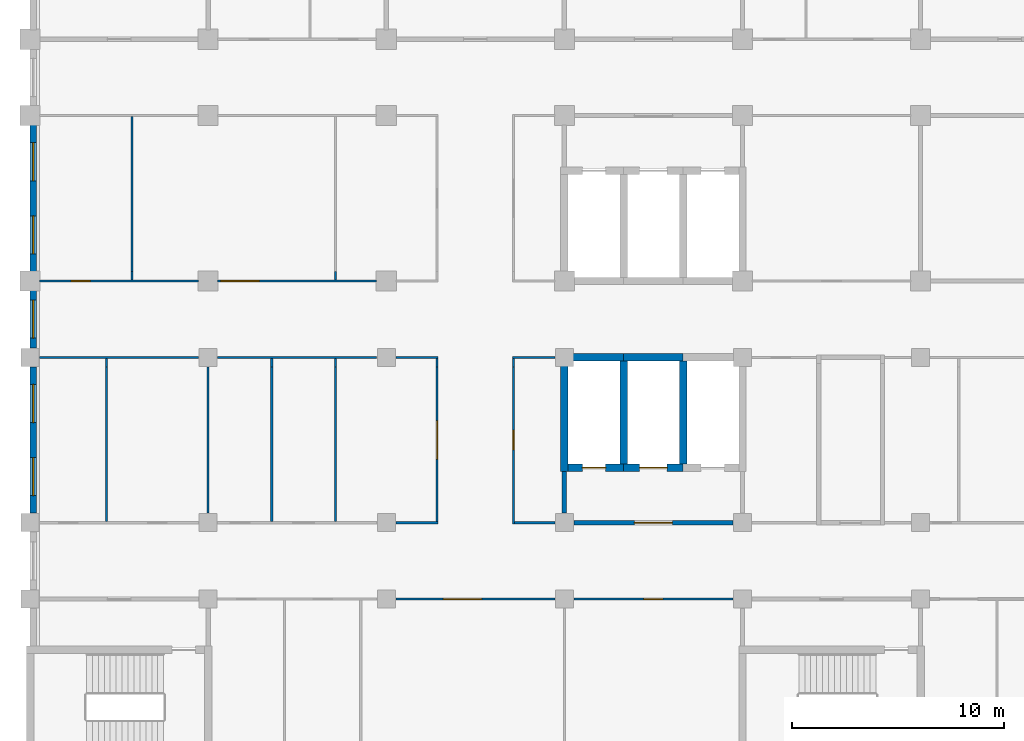
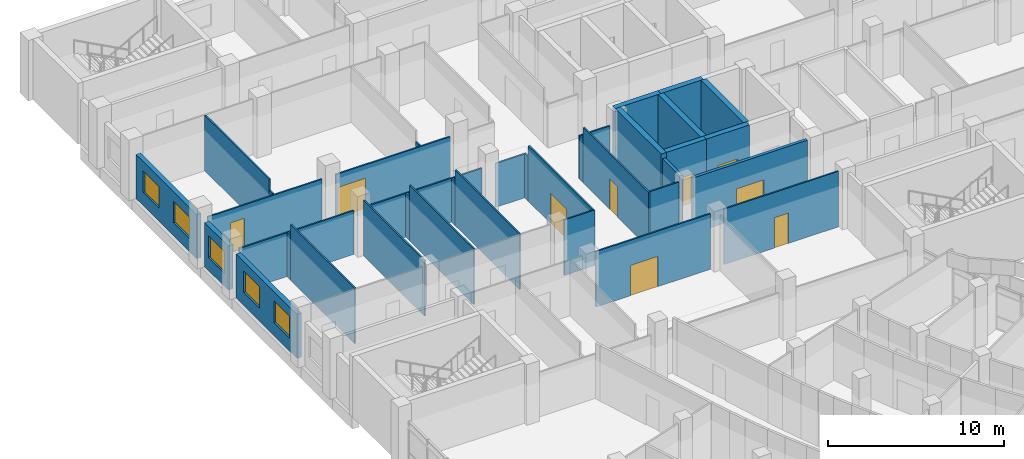
# One storey, part 57 of 109: 36 walls, 9 doors, 5 windows, 14 openings.
"""IFC4 building model written with IfcOpenShell, lengths in metres."""

import ifcopenshell
import ifcopenshell.guid

model = None  # the IFC model being written
_history = None  # IfcOwnerHistory: only IFC2X3 demands one
_inside = {}  # id of a spatial element -> (the spatial element, [elements in it])
_under = {}  # id of a project, library or spatial element -> (it, [spatial elements below it])
_declared = {}  # id of a project -> (the project, [libraries it declares])
_typed = {}  # id of a type object -> (the type object, [elements of that type])
_made_of = {}  # id of a material, layer set ... -> (it, [elements and type objects made of it])


def new_model(schema):
    """Start an empty IFC model of exactly this schema.

    Asked for "IFC4X3", IfcOpenShell would pick the latest addendum, in which some entities
    have other attributes; the version numbers below select the first issue.
    IFC2X3 requires an IfcOwnerHistory on every rooted entity: one is made here for all.
    """
    global model, _history
    if schema == "IFC4X3":
        model = ifcopenshell.file(schema_version=(4, 3, 0, 0))
    else:
        model = ifcopenshell.file(schema=schema)
    _inside.clear()
    _under.clear()
    _declared.clear()
    _typed.clear()
    _made_of.clear()
    _history = None
    if model.schema == "IFC2X3":
        org = make("IfcOrganization", Name="unknown")
        user = make(
            "IfcPersonAndOrganization",
            ThePerson=make("IfcPerson", FamilyName="unknown"),
            TheOrganization=org,
        )
        app = make(
            "IfcApplication",
            ApplicationDeveloper=org,
            Version="unknown",
            ApplicationFullName="unknown",
            ApplicationIdentifier="unknown",
        )
        _history = make(
            "IfcOwnerHistory",
            OwningUser=user,
            OwningApplication=app,
            ChangeAction="ADDED",
            CreationDate=0,
        )
    return model


def make(cls, **values):
    """One entity of the class cls with the attributes given. An attribute that is None is left unset."""
    return model.create_entity(
        cls, **{name: value for name, value in values.items() if value is not None}
    )


def rooted(cls, **values):
    """An entity with a GlobalId (a new one), such as an element, a storey or a relation."""
    return make(cls, GlobalId=ifcopenshell.guid.new(), OwnerHistory=_history, **values)


def si_unit(unit_type, name, prefix=None):
    """IfcSIUnit, for example si_unit("LENGTHUNIT", "METRE", prefix="MILLI")."""
    return make("IfcSIUnit", UnitType=unit_type, Prefix=prefix, Name=name)


def assignment(units):
    """IfcUnitAssignment: the units of a project."""
    return None if units is None else make("IfcUnitAssignment", Units=units)


def point(xyz):
    """IfcCartesianPoint."""
    return None if xyz is None else make("IfcCartesianPoint", Coordinates=xyz)


def direction(xyz):
    """IfcDirection."""
    return None if xyz is None else make("IfcDirection", DirectionRatios=xyz)


def frame(location, z_axis=None, x_axis=None):
    """IfcAxis2Placement3D, a coordinate frame: its origin and axes. An axis left out is left unset."""
    return make(
        "IfcAxis2Placement3D",
        Location=point(location),
        Axis=direction(z_axis),
        RefDirection=direction(x_axis),
    )


def frame_2d(location, x_axis=None):
    """IfcAxis2Placement2D, a coordinate frame in the plane: its origin and x axis."""
    return make(
        "IfcAxis2Placement2D", Location=point(location), RefDirection=direction(x_axis)
    )


def origin():
    """The frame at (0, 0, 0) with its axes left unset."""
    return frame((0.0, 0.0, 0.0))


def place(relative_to, where):
    """IfcLocalPlacement: puts the frame where relative to a parent placement (None: the world)."""
    return make(
        "IfcLocalPlacement", PlacementRelTo=relative_to, RelativePlacement=where
    )


def context(
    kind, dimensions, precision=None, world=None, true_north=None, identifier=None
):
    """IfcGeometricRepresentationContext, for example the 3D "Model" context."""
    return make(
        "IfcGeometricRepresentationContext",
        ContextIdentifier=identifier,
        ContextType=kind,
        CoordinateSpaceDimension=dimensions,
        Precision=precision,
        WorldCoordinateSystem=world,
        TrueNorth=true_north,
    )


def subcontext(parent, identifier, kind, view, scale=None):
    """IfcGeometricRepresentationSubContext, for example "Body" below "Model"."""
    return make(
        "IfcGeometricRepresentationSubContext",
        ContextIdentifier=identifier,
        ContextType=kind,
        ParentContext=parent,
        TargetScale=scale,
        TargetView=view,
    )


def project(units=None, contexts=None):
    """IfcProject with its units and contexts."""
    return rooted(
        "IfcProject",
        Name="project",
        RepresentationContexts=contexts,
        UnitsInContext=assignment(units),
    )


def spatial(cls, under=None, at=None, **own):
    """A site, building, storey or space (cls), placed at a placement, below another one or the project."""
    s = rooted(cls, ObjectPlacement=at, **own)
    if under is not None:
        _under.setdefault(under.id(), (under, []))[1].append(s)
    return s


def profile(cls, at=None, kind="AREA", **sizes):
    """A parametric profile (cls). Its sizes go by their IFC names, for example OverallWidth=200.0."""
    return make(cls, ProfileType=kind, Position=at, **sizes)


def rectangle(**sizes):
    """IfcRectangleProfileDef."""
    return profile("IfcRectangleProfileDef", **sizes)


def extrude(swept, where, along, depth):
    """IfcExtrudedAreaSolid: the profile swept, set in the frame where, extruded along a direction by depth."""
    return make(
        "IfcExtrudedAreaSolid",
        SweptArea=swept,
        Position=where,
        ExtrudedDirection=direction(along),
        Depth=depth,
    )


def shape(context_of_items, identifier, shape_type, items):
    """IfcShapeRepresentation: the items that make up one representation, for example the "Body"."""
    return make(
        "IfcShapeRepresentation",
        ContextOfItems=context_of_items,
        RepresentationIdentifier=identifier,
        RepresentationType=shape_type,
        Items=items,
    )


def material(Name=None, Category=None):
    """IfcMaterial."""
    return make("IfcMaterial", Name=Name, Category=Category)


def layer(
    of_material, thickness, ventilated=None, Name=None, Category=None, Priority=None
):
    """IfcMaterialLayer: one layer of a wall or slab, of a material (None: an air gap)."""
    return make(
        "IfcMaterialLayer",
        Material=of_material,
        LayerThickness=thickness,
        IsVentilated=ventilated,
        Name=Name,
        Category=Category,
        Priority=Priority,
    )


def layer_set(layers, Name=None):
    """IfcMaterialLayerSet."""
    return make("IfcMaterialLayerSet", MaterialLayers=layers, LayerSetName=Name)


def made_of(thing, what):
    """Note that an element or type object is made of a material, layer set ...; save() writes the relation."""
    if what is not None:
        _made_of.setdefault(what.id(), (what, []))[1].append(thing)
    return thing


def type_object(cls, material=None, **own):
    """A type object (cls), such as IfcWallType, which elements share."""
    return made_of(rooted(cls, **own), material)


def element(
    cls,
    number,
    at=None,
    inside=None,
    cuts=None,
    type_object=None,
    material=None,
    context=None,
    identifier="Body",
    shape_type=None,
    held_by="IfcProductDefinitionShape",
    body=None,
    shapes=None,
    **own,
):
    """One element of the class cls, such as IfcWall. Its Tag is "e" and its number.

    at: its placement. inside: the storey or other place that contains it. cuts: it is an
    opening in that element (IfcRelVoidsElement). A single representation is given by context,
    identifier, shape_type and body (its items); several are given by shapes. held_by: the class
    of the entity that holds the representations. save() writes the other relations.
    """
    e = rooted(cls, Tag="e%d" % number, ObjectPlacement=at, **own)
    if body is not None:
        shapes = [shape(context, identifier, shape_type, body)]
    if shapes is not None:
        e.Representation = make(held_by, Representations=shapes)
    if inside is not None:
        _inside.setdefault(inside.id(), (inside, []))[1].append(e)
    if cuts is not None:
        rooted(
            "IfcRelVoidsElement", RelatingBuildingElement=cuts, RelatedOpeningElement=e
        )
    if type_object is not None:
        _typed.setdefault(type_object.id(), (type_object, []))[1].append(e)
    return made_of(e, material)


def fill(opening, filler):
    """IfcRelFillsElement: the door or window that sits in an opening."""
    return rooted(
        "IfcRelFillsElement",
        RelatingOpeningElement=opening,
        RelatedBuildingElement=filler,
    )


def aggregate(whole, parts):
    """IfcRelAggregates: a whole, such as a stair, and the parts it consists of."""
    return rooted("IfcRelAggregates", RelatingObject=whole, RelatedObjects=parts)


def save(model, path):
    """Write the relations noted so far, then the file.

    IfcRelAggregates (storeys below a building ...), IfcRelContainedInSpatialStructure (elements
    in a storey), IfcRelDefinesByType, IfcRelAssociatesMaterial and IfcRelDeclares: one each for
    every whole, place, type object, material and project.
    """
    for whole, parts in _under.values():
        aggregate(whole, parts)
    for where, things in _inside.values():
        rooted(
            "IfcRelContainedInSpatialStructure",
            RelatedElements=things,
            RelatingStructure=where,
        )
    for kind, things in _typed.values():
        rooted("IfcRelDefinesByType", RelatedObjects=things, RelatingType=kind)
    for what, things in _made_of.values():
        rooted("IfcRelAssociatesMaterial", RelatedObjects=things, RelatingMaterial=what)
    for by, libraries in _declared.values():
        rooted("IfcRelDeclares", RelatingContext=by, RelatedDefinitions=libraries)
    model.write(path)


model = new_model("IFC4")

# Units and contexts
model_context = context("Model", 3, precision=1e-05, world=origin(), true_north=direction((0.0, 1.0)))
body_context = subcontext(model_context, "Body", "Model", "MODEL_VIEW")
ifc_project = project(units=[si_unit("LENGTHUNIT", "METRE"), si_unit("AREAUNIT", "SQUARE_METRE"), si_unit("VOLUMEUNIT", "CUBIC_METRE"), si_unit("PLANEANGLEUNIT", "RADIAN"), si_unit("MASSUNIT", "GRAM", prefix="KILO")], contexts=[model_context])

# Site, building, storey
site_placement = place(None, origin())
site = spatial("IfcSite", under=ifc_project, at=site_placement, CompositionType="ELEMENT")
building_placement = place(site_placement, origin())
building = spatial("IfcBuilding", under=site, at=building_placement, Name="Bougainvillea Quay General Hospital", CompositionType="ELEMENT")
storey_placement = place(building_placement, frame((0.0, 0.0, 12.60009765625)))
storey = spatial("IfcBuildingStorey", under=building, at=storey_placement, Name="L02", CompositionType="ELEMENT", Elevation=12.60009765625)

# Wall, openings, windows
ifc_material_1 = material(Name="Pale stone rainscreen cladding on insulated masonry backing, pale stone", Category="masonry")
ifc_layer_1 = layer(ifc_material_1, 0.300048828125)
ifc_layer_set_1 = layer_set([ifc_layer_1], Name="Pale stone rainscreen cladding on insulated masonry backing, pale stone")
wall_type_1 = type_object("IfcWallType", Name="External wall pale stone rainscreen 300", PredefinedType="STANDARD", material=ifc_layer_set_1)
wall_1_placement = place(storey_placement, frame((42.14990234375, 147.75, 0.0), z_axis=(0.0, 0.0, 1.0), x_axis=(0.0, -1.0, 0.0)))
wall_1 = element("IfcWall", 1, at=wall_1_placement, inside=storey, type_object=wall_type_1, Name="External wall wall/V4/L02/p0/10c", PredefinedType="STANDARD", context=body_context, shape_type="SweptSolid", body=[
    extrude(rectangle(XDim=6.89990234375, YDim=0.300048828125, at=frame_2d((3.449951171875, 0.0))), origin(), (0.0, 0.0, 1.0), 3.0498046875),
])
opening_1_placement = place(wall_1_placement, frame((0.824951171875, 0.0, 0.89990234375)))
opening_1 = element("IfcOpeningElement", 2, at=opening_1_placement, cuts=wall_1, Name="Opening W1", PredefinedType="OPENING", context=body_context, shape_type="SweptSolid", body=[
    extrude(rectangle(XDim=1.800048828125, YDim=1.5, at=frame_2d((0.89990234375, 0.75))), frame((0.0, 0.159912109375, 0.0), z_axis=(0.0, -1.0, 0.0), x_axis=(1.0, 0.0, 0.0)), (0.0, 0.0, 1.0), 0.320068359375),
])
opening_2_placement = place(wall_1_placement, frame((4.27490234375, 0.0, 0.89990234375)))
opening_2 = element("IfcOpeningElement", 3, at=opening_2_placement, cuts=wall_1, Name="Opening W1", PredefinedType="OPENING", context=body_context, shape_type="SweptSolid", body=[
    extrude(rectangle(XDim=1.800048828125, YDim=1.5, at=frame_2d((0.89990234375, 0.75))), frame((0.0, 0.159912109375, 0.0), z_axis=(0.0, -1.0, 0.0), x_axis=(1.0, 0.0, 0.0)), (0.0, 0.0, 1.0), 0.320068359375),
])
ifc_material_2 = material(Name="Aluminium window frame with low-e double glazed unit", Category="aluminium")
window_type = type_object("IfcWindowType", Name="Window W1 1800x1500", PartitioningType="DOUBLE_PANEL_VERTICAL", PredefinedType="WINDOW", material=ifc_material_2)
window_1_placement = place(opening_1_placement, origin())
window_1 = element("IfcWindow", 4, at=window_1_placement, inside=storey, type_object=window_type, Name="Window W1 1", OverallHeight=1.5, OverallWidth=1.800048828125, PartitioningType="SINGLE_PANEL", PredefinedType="WINDOW", context=body_context, shape_type="SweptSolid", body=[
    extrude(rectangle(XDim=1.800048828125, YDim=1.5, at=frame_2d((0.89990234375, 0.75))), frame((0.0, 0.030029296875, 0.0), z_axis=(0.0, -1.0, 0.0), x_axis=(1.0, 0.0, 0.0)), (0.0, 0.0, 1.0), 0.06005859375),
])
fill(opening_1, window_1)
window_2_placement = place(opening_2_placement, origin())
window_2 = element("IfcWindow", 5, at=window_2_placement, inside=storey, type_object=window_type, Name="Window W1 2", OverallHeight=1.5, OverallWidth=1.800048828125, PartitioningType="SINGLE_PANEL", PredefinedType="WINDOW", context=body_context, shape_type="SweptSolid", body=[
    extrude(rectangle(XDim=1.800048828125, YDim=1.5, at=frame_2d((0.89990234375, 0.75))), frame((0.0, 0.030029296875, 0.0), z_axis=(0.0, -1.0, 0.0), x_axis=(1.0, 0.0, 0.0)), (0.0, 0.0, 1.0), 0.06005859375),
])
fill(opening_2, window_2)

# Wall, opening, window
wall_2_placement = place(storey_placement, frame((42.14990234375, 139.949951171875, 0.0), z_axis=(0.0, 0.0, 1.0), x_axis=(0.0, -1.0, 0.0)))
wall_2 = element("IfcWall", 6, at=wall_2_placement, inside=storey, type_object=wall_type_1, Name="External wall wall/V4/L02/p0/10d", PredefinedType="STANDARD", context=body_context, shape_type="SweptSolid", body=[
    extrude(rectangle(XDim=2.699951171875, YDim=0.300048828125, at=frame_2d((1.35009765625, 0.0))), origin(), (0.0, 0.0, 1.0), 3.0498046875),
])
opening_3_placement = place(wall_2_placement, frame((0.449951171875, 0.0, 0.89990234375)))
opening_3 = element("IfcOpeningElement", 7, at=opening_3_placement, cuts=wall_2, Name="Opening W1", PredefinedType="OPENING", context=body_context, shape_type="SweptSolid", body=[
    extrude(rectangle(XDim=1.800048828125, YDim=1.5, at=frame_2d((0.89990234375, 0.75))), frame((0.0, 0.159912109375, 0.0), z_axis=(0.0, -1.0, 0.0), x_axis=(1.0, 0.0, 0.0)), (0.0, 0.0, 1.0), 0.320068359375),
])
window_3_placement = place(opening_3_placement, origin())
window_3 = element("IfcWindow", 8, at=window_3_placement, inside=storey, type_object=window_type, Name="Window W1 1", OverallHeight=1.5, OverallWidth=1.800048828125, PartitioningType="SINGLE_PANEL", PredefinedType="WINDOW", context=body_context, shape_type="SweptSolid", body=[
    extrude(rectangle(XDim=1.800048828125, YDim=1.5, at=frame_2d((0.89990234375, 0.75))), frame((0.0, 0.030029296875, 0.0), z_axis=(0.0, -1.0, 0.0), x_axis=(1.0, 0.0, 0.0)), (0.0, 0.0, 1.0), 0.06005859375),
])
fill(opening_3, window_3)

# Wall, openings, windows
wall_3_placement = place(storey_placement, frame((42.14990234375, 136.35009765625, 0.0), z_axis=(0.0, 0.0, 1.0), x_axis=(0.0, -1.0, 0.0)))
wall_3 = element("IfcWall", 9, at=wall_3_placement, inside=storey, type_object=wall_type_1, Name="External wall wall/V4/L02/p0/10e", PredefinedType="STANDARD", context=body_context, shape_type="SweptSolid", body=[
    extrude(rectangle(XDim=6.900146484375, YDim=0.300048828125, at=frame_2d((3.4501953125, 0.0))), origin(), (0.0, 0.0, 1.0), 3.0498046875),
])
opening_4_placement = place(wall_3_placement, frame((0.824951171875, 0.0, 0.89990234375)))
opening_4 = element("IfcOpeningElement", 10, at=opening_4_placement, cuts=wall_3, Name="Opening W1", PredefinedType="OPENING", context=body_context, shape_type="SweptSolid", body=[
    extrude(rectangle(XDim=1.800048828125, YDim=1.5, at=frame_2d((0.89990234375, 0.75))), frame((0.0, 0.159912109375, 0.0), z_axis=(0.0, -1.0, 0.0), x_axis=(1.0, 0.0, 0.0)), (0.0, 0.0, 1.0), 0.320068359375),
])
opening_5_placement = place(wall_3_placement, frame((4.27490234375, 0.0, 0.89990234375)))
opening_5 = element("IfcOpeningElement", 11, at=opening_5_placement, cuts=wall_3, Name="Opening W1", PredefinedType="OPENING", context=body_context, shape_type="SweptSolid", body=[
    extrude(rectangle(XDim=1.800048828125, YDim=1.5, at=frame_2d((0.89990234375, 0.75))), frame((0.0, 0.159912109375, 0.0), z_axis=(0.0, -1.0, 0.0), x_axis=(1.0, 0.0, 0.0)), (0.0, 0.0, 1.0), 0.320068359375),
])
window_4_placement = place(opening_4_placement, origin())
window_4 = element("IfcWindow", 12, at=window_4_placement, inside=storey, type_object=window_type, Name="Window W1 1", OverallHeight=1.5, OverallWidth=1.800048828125, PartitioningType="SINGLE_PANEL", PredefinedType="WINDOW", context=body_context, shape_type="SweptSolid", body=[
    extrude(rectangle(XDim=1.800048828125, YDim=1.5, at=frame_2d((0.89990234375, 0.75))), frame((0.0, 0.030029296875, 0.0), z_axis=(0.0, -1.0, 0.0), x_axis=(1.0, 0.0, 0.0)), (0.0, 0.0, 1.0), 0.06005859375),
])
fill(opening_4, window_4)
window_5_placement = place(opening_5_placement, origin())
window_5 = element("IfcWindow", 13, at=window_5_placement, inside=storey, type_object=window_type, Name="Window W1 2", OverallHeight=1.5, OverallWidth=1.800048828125, PartitioningType="SINGLE_PANEL", PredefinedType="WINDOW", context=body_context, shape_type="SweptSolid", body=[
    extrude(rectangle(XDim=1.800048828125, YDim=1.5, at=frame_2d((0.89990234375, 0.75))), frame((0.0, 0.030029296875, 0.0), z_axis=(0.0, -1.0, 0.0), x_axis=(1.0, 0.0, 0.0)), (0.0, 0.0, 1.0), 0.06005859375),
])
fill(opening_5, window_5)

# Wall, opening, door
ifc_material_3 = material(Name="Gypsum board partition on steel studs", Category="steel")
ifc_layer_2 = layer(ifc_material_3, 0.10009765625)
ifc_layer_set_2 = layer_set([ifc_layer_2], Name="Gypsum board partition on steel studs")
wall_type_2 = type_object("IfcWallType", Name="Partition 100 Gypsum board partition", PredefinedType="PARTITIONING", material=ifc_layer_set_2)
wall_4_placement = place(storey_placement, frame((75.14990234375, 125.39990234375, 0.0), z_axis=(0.0, 0.0, 1.0), x_axis=(-1.0, 0.0, 0.0)))
wall_4 = element("IfcWall", 14, at=wall_4_placement, inside=storey, type_object=wall_type_2, Name="Partition 100 mm", PredefinedType="PARTITIONING", context=body_context, shape_type="SweptSolid", body=[
    extrude(rectangle(XDim=7.5, YDim=0.10009765625, at=frame_2d((3.75, 0.0))), origin(), (0.0, 0.0, 1.0), 3.849853515625),
])
opening_6_placement = place(wall_4_placement, frame((3.301025390625, 0.0, 0.0)))
opening_6 = element("IfcOpeningElement", 15, at=opening_6_placement, cuts=wall_4, Name="Opening L02.088", PredefinedType="OPENING", context=body_context, shape_type="SweptSolid", body=[
    extrude(rectangle(XDim=0.89990234375, YDim=2.10009765625, at=frame_2d((0.449951171875, 1.050048828125))), frame((0.0, 0.06005859375, 0.0), z_axis=(0.0, -1.0, 0.0), x_axis=(1.0, 0.0, 0.0)), (0.0, 0.0, 1.0), 0.1201171875),
])
ifc_material_4 = material(Name="Solid-core timber door leaf in steel frame", Category="steel")
door_type_1 = type_object("IfcDoorType", Name="Single leaf door 900x2100", OperationType="NOTDEFINED", PredefinedType="DOOR", material=ifc_material_4)
door_1_placement = place(opening_6_placement, origin())
door_1 = element("IfcDoor", 16, at=door_1_placement, inside=storey, type_object=door_type_1, Name="DT07 L02.088", OperationType="SINGLE_SWING_RIGHT", OverallHeight=2.10009765625, OverallWidth=0.89990234375, PredefinedType="DOOR", context=body_context, shape_type="SweptSolid", body=[
    extrude(rectangle(XDim=0.89990234375, YDim=2.10009765625, at=frame_2d((0.449951171875, 1.050048828125))), frame((0.0, 0.02490234375, 0.0), z_axis=(0.0, -1.0, 0.0), x_axis=(1.0, 0.0, 0.0)), (0.0, 0.0, 1.0), 0.050048828125),
])
fill(opening_6, door_1)

wall_5_placement = place(storey_placement, frame((66.75, 125.39990234375, 0.0), z_axis=(0.0, 0.0, 1.0), x_axis=(-1.0, 0.0, 0.0)))
wall_5 = element("IfcWall", 17, at=wall_5_placement, inside=storey, type_object=wall_type_2, Name="Partition 100 mm", PredefinedType="PARTITIONING", context=body_context, shape_type="SweptSolid", body=[
    extrude(rectangle(XDim=7.5, YDim=0.10009765625, at=frame_2d((3.75, 0.0))), origin(), (0.0, 0.0, 1.0), 3.849853515625),
])
opening_7_placement = place(wall_5_placement, frame((3.451904296875, 0.0, 0.0)))
opening_7 = element("IfcOpeningElement", 18, at=opening_7_placement, cuts=wall_5, Name="Opening L02.087", PredefinedType="OPENING", context=body_context, shape_type="SweptSolid", body=[
    extrude(rectangle(XDim=1.800048828125, YDim=2.10009765625, at=frame_2d((0.89990234375, 1.050048828125))), frame((0.0, 0.06005859375, 0.0), z_axis=(0.0, -1.0, 0.0), x_axis=(1.0, 0.0, 0.0)), (0.0, 0.0, 1.0), 0.1201171875),
])
ifc_material_5 = material(Name="Solid-core timber door leaves in steel frame", Category="steel")
door_type_2 = type_object("IfcDoorType", Name="Double leaf door 1800x2100", OperationType="DOUBLE_DOOR_SINGLE_SWING", PredefinedType="DOOR", material=ifc_material_5)
door_2_placement = place(opening_7_placement, origin())
door_2 = element("IfcDoor", 19, at=door_2_placement, inside=storey, type_object=door_type_2, Name="DT08 L02.087", OperationType="DOUBLE_DOOR_SINGLE_SWING", OverallHeight=2.10009765625, OverallWidth=1.800048828125, PredefinedType="DOOR", context=body_context, shape_type="SweptSolid", body=[
    extrude(rectangle(XDim=1.800048828125, YDim=2.10009765625, at=frame_2d((0.89990234375, 1.050048828125))), frame((0.0, 0.02490234375, 0.0), z_axis=(0.0, -1.0, 0.0), x_axis=(1.0, 0.0, 0.0)), (0.0, 0.0, 1.0), 0.050048828125),
])
fill(opening_7, door_2)

# Walls
wall_6_placement = place(storey_placement, frame((61.25, 129.0, 0.0), z_axis=(0.0, 0.0, 1.0), x_axis=(-1.0, 0.0, 0.0)))
element("IfcWall", 20, at=wall_6_placement, inside=storey, type_object=wall_type_2, Name="Partition 100 mm", PredefinedType="PARTITIONING", context=body_context, shape_type="SweptSolid", body=[
    extrude(rectangle(XDim=2.0, YDim=0.10009765625, at=frame_2d((1.0, 0.0))), origin(), (0.0, 0.0, 1.0), 3.849853515625),
])
wall_7_placement = place(storey_placement, frame((61.25, 136.800048828125, 0.0), z_axis=(0.0, 0.0, 1.0), x_axis=(-1.0, 0.0, 0.0)))
element("IfcWall", 21, at=wall_7_placement, inside=storey, type_object=wall_type_2, Name="Partition 100 mm", PredefinedType="PARTITIONING", context=body_context, shape_type="SweptSolid", body=[
    extrude(rectangle(XDim=2.0, YDim=0.10009765625, at=frame_2d((1.0, 0.0))), origin(), (0.0, 0.0, 1.0), 3.02978515625),
])
for number, where, z_axis, x_axis, name in (
    (22, (58.35009765625, 136.800048828125, 0.0), (0.0, 0.0, 1.0), (-1.0, 0.0, 0.0), "Partition 100 mm"),
    (23, (49.949951171875, 136.800048828125, 0.0), (0.0, 0.0, 1.0), (-1.0, 0.0, 0.0), "Partition 100 mm"),
):
    element("IfcWall", number, at=place(storey_placement, frame(where, z_axis=z_axis, x_axis=x_axis)), inside=storey, type_object=wall_type_2, Name=name, PredefinedType="PARTITIONING", context=body_context, shape_type="SweptSolid", body=[
        extrude(rectangle(XDim=7.5, YDim=0.10009765625, at=frame_2d((3.75, 0.0))), origin(), (0.0, 0.0, 1.0), 3.02978515625),
    ])

# Wall, opening, door
wall_8_placement = place(storey_placement, frame((58.35009765625, 140.39990234375, 0.0), z_axis=(0.0, 0.0, 1.0), x_axis=(-1.0, 0.0, 0.0)))
wall_8 = element("IfcWall", 24, at=wall_8_placement, inside=storey, type_object=wall_type_2, Name="Partition 100 mm", PredefinedType="PARTITIONING", context=body_context, shape_type="SweptSolid", body=[
    extrude(rectangle(XDim=7.5, YDim=0.10009765625, at=frame_2d((3.75, 0.0))), origin(), (0.0, 0.0, 1.0), 3.02978515625),
])
opening_8_placement = place(wall_8_placement, frame((5.550048828125, 0.0, 0.0)))
opening_8 = element("IfcOpeningElement", 25, at=opening_8_placement, cuts=wall_8, Name="Opening L02.133", PredefinedType="OPENING", context=body_context, shape_type="SweptSolid", body=[
    extrude(rectangle(XDim=1.800048828125, YDim=2.10009765625, at=frame_2d((0.89990234375, 1.050048828125))), frame((0.0, 0.06005859375, 0.0), z_axis=(0.0, -1.0, 0.0), x_axis=(1.0, 0.0, 0.0)), (0.0, 0.0, 1.0), 0.1201171875),
])
door_3_placement = place(opening_8_placement, frame((1.800048828125, 0.0, 0.0), z_axis=(0.0, 0.0, 1.0), x_axis=(-1.0, 0.0, 0.0)))
door_3 = element("IfcDoor", 26, at=door_3_placement, inside=storey, type_object=door_type_2, Name="DT08 L02.133", OperationType="DOUBLE_DOOR_SINGLE_SWING", OverallHeight=2.10009765625, OverallWidth=1.800048828125, PredefinedType="DOOR", context=body_context, shape_type="SweptSolid", body=[
    extrude(rectangle(XDim=1.800048828125, YDim=2.10009765625, at=frame_2d((0.89990234375, 1.050048828125))), frame((0.0, 0.02490234375, 0.0), z_axis=(0.0, -1.0, 0.0), x_axis=(1.0, 0.0, 0.0)), (0.0, 0.0, 1.0), 0.050048828125),
])
fill(opening_8, door_3)

wall_9_placement = place(storey_placement, frame((49.949951171875, 140.39990234375, 0.0), z_axis=(0.0, 0.0, 1.0), x_axis=(-1.0, 0.0, 0.0)))
wall_9 = element("IfcWall", 27, at=wall_9_placement, inside=storey, type_object=wall_type_2, Name="Partition 100 mm", PredefinedType="PARTITIONING", context=body_context, shape_type="SweptSolid", body=[
    extrude(rectangle(XDim=7.5, YDim=0.10009765625, at=frame_2d((3.75, 0.0))), origin(), (0.0, 0.0, 1.0), 3.02978515625),
])
opening_9_placement = place(wall_9_placement, frame((5.10009765625, 0.0, 0.0)))
opening_9 = element("IfcOpeningElement", 28, at=opening_9_placement, cuts=wall_9, Name="Opening L02.132", PredefinedType="OPENING", context=body_context, shape_type="SweptSolid", body=[
    extrude(rectangle(XDim=0.89990234375, YDim=2.10009765625, at=frame_2d((0.449951171875, 1.050048828125))), frame((0.0, 0.06005859375, 0.0), z_axis=(0.0, -1.0, 0.0), x_axis=(1.0, 0.0, 0.0)), (0.0, 0.0, 1.0), 0.1201171875),
])
door_4_placement = place(opening_9_placement, frame((0.89990234375, 0.0, 0.0), z_axis=(0.0, 0.0, 1.0), x_axis=(-1.0, 0.0, 0.0)))
door_4 = element("IfcDoor", 29, at=door_4_placement, inside=storey, type_object=door_type_1, Name="DT07 L02.132", OperationType="SINGLE_SWING_LEFT", OverallHeight=2.10009765625, OverallWidth=0.89990234375, PredefinedType="DOOR", context=body_context, shape_type="SweptSolid", body=[
    extrude(rectangle(XDim=0.89990234375, YDim=2.10009765625, at=frame_2d((0.449951171875, 1.050048828125))), frame((0.0, 0.02490234375, 0.0), z_axis=(0.0, -1.0, 0.0), x_axis=(1.0, 0.0, 0.0)), (0.0, 0.0, 1.0), 0.050048828125),
])
fill(opening_9, door_4)

# Walls
wall_10_placement = place(storey_placement, frame((66.75, 136.800048828125, 0.0), z_axis=(0.0, 0.0, 1.0), x_axis=(-1.0, 0.0, 0.0)))
element("IfcWall", 30, at=wall_10_placement, inside=storey, type_object=wall_type_2, Name="Partition 100 mm", PredefinedType="PARTITIONING", context=body_context, shape_type="SweptSolid", body=[
    extrude(rectangle(XDim=2.0, YDim=0.10009765625, at=frame_2d((1.0, 0.0))), origin(), (0.0, 0.0, 1.0), 3.02978515625),
])
wall_11_placement = place(storey_placement, frame((45.60009765625, 129.050048828125, 0.0), z_axis=(0.0, 0.0, 1.0), x_axis=(0.0, 1.0, 0.0)))
element("IfcWall", 31, at=wall_11_placement, inside=storey, type_object=wall_type_2, Name="Partition 100 mm", PredefinedType="PARTITIONING", context=body_context, shape_type="SweptSolid", body=[
    extrude(rectangle(XDim=7.300048828125, YDim=0.10009765625, at=frame_2d((3.64990234375, 0.0))), origin(), (0.0, 0.0, 1.0), 3.849853515625),
])
wall_12_placement = place(storey_placement, frame((45.60009765625, 136.35009765625, 0.0), z_axis=(0.0, 0.0, 1.0), x_axis=(0.0, 1.0, 0.0)))
element("IfcWall", 32, at=wall_12_placement, inside=storey, type_object=wall_type_2, Name="Partition 100 mm", PredefinedType="PARTITIONING", context=body_context, shape_type="SweptSolid", body=[
    extrude(rectangle(XDim=0.39990234375, YDim=0.10009765625, at=frame_2d((0.199951171875, 0.0))), origin(), (0.0, 0.0, 1.0), 3.079833984375),
])
wall_13_placement = place(storey_placement, frame((50.39990234375, 129.449951171875, 0.0), z_axis=(0.0, 0.0, 1.0), x_axis=(0.0, 1.0, 0.0)))
element("IfcWall", 33, at=wall_13_placement, inside=storey, type_object=wall_type_2, Name="Partition 100 mm", PredefinedType="PARTITIONING", context=body_context, shape_type="SweptSolid", body=[
    extrude(rectangle(XDim=6.900146484375, YDim=0.10009765625, at=frame_2d((3.4501953125, 0.0))), origin(), (0.0, 0.0, 1.0), 3.849853515625),
])
wall_14_placement = place(storey_placement, frame((53.39990234375, 129.050048828125, 0.0), z_axis=(0.0, 0.0, 1.0), x_axis=(0.0, 1.0, 0.0)))
element("IfcWall", 34, at=wall_14_placement, inside=storey, type_object=wall_type_2, Name="Partition 100 mm", PredefinedType="PARTITIONING", context=body_context, shape_type="SweptSolid", body=[
    extrude(rectangle(XDim=7.300048828125, YDim=0.10009765625, at=frame_2d((3.64990234375, 0.0))), origin(), (0.0, 0.0, 1.0), 3.849853515625),
])
wall_15_placement = place(storey_placement, frame((53.39990234375, 136.35009765625, 0.0), z_axis=(0.0, 0.0, 1.0), x_axis=(0.0, 1.0, 0.0)))
element("IfcWall", 35, at=wall_15_placement, inside=storey, type_object=wall_type_2, Name="Partition 100 mm", PredefinedType="PARTITIONING", context=body_context, shape_type="SweptSolid", body=[
    extrude(rectangle(XDim=0.39990234375, YDim=0.10009765625, at=frame_2d((0.199951171875, 0.0))), origin(), (0.0, 0.0, 1.0), 3.079833984375),
])
wall_16_placement = place(storey_placement, frame((56.39990234375, 129.050048828125, 0.0), z_axis=(0.0, 0.0, 1.0), x_axis=(0.0, 1.0, 0.0)))
element("IfcWall", 36, at=wall_16_placement, inside=storey, type_object=wall_type_2, Name="Partition 100 mm", PredefinedType="PARTITIONING", context=body_context, shape_type="SweptSolid", body=[
    extrude(rectangle(XDim=7.300048828125, YDim=0.10009765625, at=frame_2d((3.64990234375, 0.0))), origin(), (0.0, 0.0, 1.0), 3.849853515625),
])
wall_17_placement = place(storey_placement, frame((56.39990234375, 136.35009765625, 0.0), z_axis=(0.0, 0.0, 1.0), x_axis=(0.0, 1.0, 0.0)))
element("IfcWall", 37, at=wall_17_placement, inside=storey, type_object=wall_type_2, Name="Partition 100 mm", PredefinedType="PARTITIONING", context=body_context, shape_type="SweptSolid", body=[
    extrude(rectangle(XDim=0.39990234375, YDim=0.10009765625, at=frame_2d((0.199951171875, 0.0))), origin(), (0.0, 0.0, 1.0), 3.079833984375),
])

# Wall, opening, door
wall_18_placement = place(storey_placement, frame((61.199951171875, 129.050048828125, 0.0), z_axis=(0.0, 0.0, 1.0), x_axis=(0.0, 1.0, 0.0)))
wall_18 = element("IfcWall", 38, at=wall_18_placement, inside=storey, type_object=wall_type_2, Name="Partition 100 mm", PredefinedType="PARTITIONING", context=body_context, shape_type="SweptSolid", body=[
    extrude(rectangle(XDim=7.300048828125, YDim=0.10009765625, at=frame_2d((3.64990234375, 0.0))), origin(), (0.0, 0.0, 1.0), 3.849853515625),
])
opening_10_placement = place(wall_18_placement, frame((2.949951171875, 0.0, 0.0)))
opening_10 = element("IfcOpeningElement", 39, at=opening_10_placement, cuts=wall_18, Name="Opening L02.093", PredefinedType="OPENING", context=body_context, shape_type="SweptSolid", body=[
    extrude(rectangle(XDim=1.800048828125, YDim=2.10009765625, at=frame_2d((0.89990234375, 1.050048828125))), frame((0.0, 0.06005859375, 0.0), z_axis=(0.0, -1.0, 0.0), x_axis=(1.0, 0.0, 0.0)), (0.0, 0.0, 1.0), 0.1201171875),
])
door_5_placement = place(opening_10_placement, origin())
door_5 = element("IfcDoor", 40, at=door_5_placement, inside=storey, type_object=door_type_2, Name="DT08 L02.093", OperationType="DOUBLE_DOOR_SINGLE_SWING", OverallHeight=2.10009765625, OverallWidth=1.800048828125, PredefinedType="DOOR", context=body_context, shape_type="SweptSolid", body=[
    extrude(rectangle(XDim=1.800048828125, YDim=2.10009765625, at=frame_2d((0.89990234375, 1.050048828125))), frame((0.0, 0.02490234375, 0.0), z_axis=(0.0, -1.0, 0.0), x_axis=(1.0, 0.0, 0.0)), (0.0, 0.0, 1.0), 0.050048828125),
])
fill(opening_10, door_5)

# Wall
wall_19_placement = place(storey_placement, frame((61.199951171875, 136.35009765625, 0.0), z_axis=(0.0, 0.0, 1.0), x_axis=(0.0, 1.0, 0.0)))
element("IfcWall", 41, at=wall_19_placement, inside=storey, type_object=wall_type_2, Name="Partition 100 mm", PredefinedType="PARTITIONING", context=body_context, shape_type="SweptSolid", body=[
    extrude(rectangle(XDim=0.39990234375, YDim=0.10009765625, at=frame_2d((0.199951171875, 0.0))), origin(), (0.0, 0.0, 1.0), 3.079833984375),
])

# Wall, opening, door
wall_20_placement = place(storey_placement, frame((64.800048828125, 128.949951171875, 0.0), z_axis=(0.0, 0.0, 1.0), x_axis=(0.0, 1.0, 0.0)))
wall_20 = element("IfcWall", 42, at=wall_20_placement, inside=storey, type_object=wall_type_2, Name="Partition 100 mm", PredefinedType="PARTITIONING", context=body_context, shape_type="SweptSolid", body=[
    extrude(rectangle(XDim=7.400146484375, YDim=0.10009765625, at=frame_2d((3.7001953125, 0.0))), origin(), (0.0, 0.0, 1.0), 3.849853515625),
])
opening_11_placement = place(wall_20_placement, frame((3.5, 0.0, 0.0)))
opening_11 = element("IfcOpeningElement", 43, at=opening_11_placement, cuts=wall_20, Name="Opening L02.094", PredefinedType="OPENING", context=body_context, shape_type="SweptSolid", body=[
    extrude(rectangle(XDim=0.89990234375, YDim=2.10009765625, at=frame_2d((0.449951171875, 1.050048828125))), frame((0.0, 0.06005859375, 0.0), z_axis=(0.0, -1.0, 0.0), x_axis=(1.0, 0.0, 0.0)), (0.0, 0.0, 1.0), 0.1201171875),
])
door_6_placement = place(opening_11_placement, frame((0.89990234375, 0.0, 0.0), z_axis=(0.0, 0.0, 1.0), x_axis=(-1.0, 0.0, 0.0)))
door_6 = element("IfcDoor", 44, at=door_6_placement, inside=storey, type_object=door_type_1, Name="DT07 L02.094", OperationType="SINGLE_SWING_LEFT", OverallHeight=2.10009765625, OverallWidth=0.89990234375, PredefinedType="DOOR", context=body_context, shape_type="SweptSolid", body=[
    extrude(rectangle(XDim=0.89990234375, YDim=2.10009765625, at=frame_2d((0.449951171875, 1.050048828125))), frame((0.0, 0.02490234375, 0.0), z_axis=(0.0, -1.0, 0.0), x_axis=(1.0, 0.0, 0.0)), (0.0, 0.0, 1.0), 0.050048828125),
])
fill(opening_11, door_6)

# Walls
wall_21_placement = place(storey_placement, frame((64.800048828125, 136.35009765625, 0.0), z_axis=(0.0, 0.0, 1.0), x_axis=(0.0, 1.0, 0.0)))
element("IfcWall", 45, at=wall_21_placement, inside=storey, type_object=wall_type_2, Name="Partition 100 mm", PredefinedType="PARTITIONING", context=body_context, shape_type="SweptSolid", body=[
    extrude(rectangle(XDim=0.39990234375, YDim=0.10009765625, at=frame_2d((0.199951171875, 0.0))), origin(), (0.0, 0.0, 1.0), 3.079833984375),
])
wall_22_placement = place(storey_placement, frame((46.800048828125, 140.449951171875, 0.0), z_axis=(0.0, 0.0, 1.0), x_axis=(0.0, 1.0, 0.0)))
element("IfcWall", 46, at=wall_22_placement, inside=storey, type_object=wall_type_2, Name="Partition 100 mm", PredefinedType="PARTITIONING", context=body_context, shape_type="SweptSolid", body=[
    extrude(rectangle(XDim=0.400146484375, YDim=0.10009765625, at=frame_2d((0.2001953125, 0.0))), origin(), (0.0, 0.0, 1.0), 3.079833984375),
])
wall_23_placement = place(storey_placement, frame((46.800048828125, 140.85009765625, 0.0), z_axis=(0.0, 0.0, 1.0), x_axis=(0.0, 1.0, 0.0)))
element("IfcWall", 47, at=wall_23_placement, inside=storey, type_object=wall_type_2, Name="Partition 100 mm", PredefinedType="PARTITIONING", context=body_context, shape_type="SweptSolid", body=[
    extrude(rectangle(XDim=7.2998046875, YDim=0.10009765625, at=frame_2d((3.64990234375, 0.0))), origin(), (0.0, 0.0, 1.0), 3.849853515625),
])
wall_24_placement = place(storey_placement, frame((56.39990234375, 140.449951171875, 0.0), z_axis=(0.0, 0.0, 1.0), x_axis=(0.0, 1.0, 0.0)))
element("IfcWall", 48, at=wall_24_placement, inside=storey, type_object=wall_type_2, Name="Partition 100 mm", PredefinedType="PARTITIONING", context=body_context, shape_type="SweptSolid", body=[
    extrude(rectangle(XDim=0.400146484375, YDim=0.10009765625, at=frame_2d((0.2001953125, 0.0))), origin(), (0.0, 0.0, 1.0), 3.079833984375),
])
wall_25_placement = place(storey_placement, frame((64.85009765625, 129.0, 0.0), z_axis=(0.0, 0.0, 1.0), x_axis=(1.0, 0.0, 0.0)))
element("IfcWall", 49, at=wall_25_placement, inside=storey, type_object=wall_type_2, Name="Partition 100 mm", PredefinedType="PARTITIONING", context=body_context, shape_type="SweptSolid", body=[
    extrude(rectangle(XDim=1.89990234375, YDim=0.10009765625, at=frame_2d((0.949951171875, 0.0))), origin(), (0.0, 0.0, 1.0), 3.849853515625),
])

# Wall, opening, door
ifc_material_6 = material(Name="Fire-rated autoclaved aerated block wall, plastered")
ifc_layer_3 = layer(ifc_material_6, 0.199951171875)
ifc_layer_set_3 = layer_set([ifc_layer_3], Name="Fire-rated autoclaved aerated block wall, plastered")
wall_type_3 = type_object("IfcWallType", Name="Partition 200 Fire-rated autoclaved aerated block wall EI 120", PredefinedType="SOLIDWALL", material=ifc_layer_set_3)
wall_26_placement = place(storey_placement, frame((67.64990234375, 129.0, 0.0), z_axis=(0.0, 0.0, 1.0), x_axis=(1.0, 0.0, 0.0)))
wall_26 = element("IfcWall", 50, at=wall_26_placement, inside=storey, type_object=wall_type_3, Name="Partition 200 mm EI 120", PredefinedType="SOLIDWALL", context=body_context, shape_type="SweptSolid", body=[
    extrude(rectangle(XDim=7.5, YDim=0.199951171875, at=frame_2d((3.75, 0.0))), origin(), (0.0, 0.0, 1.0), 3.849853515625),
])
opening_12_placement = place(wall_26_placement, frame((2.85009765625, 0.0, 0.0)))
opening_12 = element("IfcOpeningElement", 51, at=opening_12_placement, cuts=wall_26, Name="Opening L02.045", PredefinedType="OPENING", context=body_context, shape_type="SweptSolid", body=[
    extrude(rectangle(XDim=1.800048828125, YDim=2.10009765625, at=frame_2d((0.89990234375, 1.050048828125))), frame((0.0, 0.10986328125, 0.0), z_axis=(0.0, -1.0, 0.0), x_axis=(1.0, 0.0, 0.0)), (0.0, 0.0, 1.0), 0.219970703125),
])
ifc_material_7 = material(Name="Steel fire door leaves in steel frame", Category="steel")
door_type_3 = type_object("IfcDoorType", Name="Steel double leaf door 1800x2100 FD60", OperationType="DOUBLE_DOOR_SINGLE_SWING", PredefinedType="DOOR", material=ifc_material_7)
door_7_placement = place(opening_12_placement, origin())
door_7 = element("IfcDoor", 52, at=door_7_placement, inside=storey, type_object=door_type_3, Name="DT05 L02.045", OperationType="DOUBLE_DOOR_SINGLE_SWING", OverallHeight=2.10009765625, OverallWidth=1.800048828125, PredefinedType="DOOR", context=body_context, shape_type="SweptSolid", body=[
    extrude(rectangle(XDim=1.800048828125, YDim=2.10009765625, at=frame_2d((0.89990234375, 1.050048828125))), frame((0.0, 0.02490234375, 0.0), z_axis=(0.0, -1.0, 0.0), x_axis=(1.0, 0.0, 0.0)), (0.0, 0.0, 1.0), 0.050048828125),
])
fill(opening_12, door_7)

# Walls
wall_27_placement = place(storey_placement, frame((67.199951171875, 129.449951171875, 0.0), z_axis=(0.0, 0.0, 1.0), x_axis=(0.0, 1.0, 0.0)))
element("IfcWall", 53, at=wall_27_placement, inside=storey, type_object=wall_type_3, Name="Partition 200 mm EI 120", PredefinedType="SOLIDWALL", context=body_context, shape_type="SweptSolid", body=[
    extrude(rectangle(XDim=1.97509765625, YDim=0.199951171875, at=frame_2d((0.987548828125, 0.0))), origin(), (0.0, 0.0, 1.0), 3.849853515625),
])
ifc_material_8 = material(Name="Concrete C40", Category="concrete")
ifc_layer_4 = layer(ifc_material_8, 0.35009765625)
ifc_layer_set_4 = layer_set([ifc_layer_4], Name="Concrete C40")
wall_type_4 = type_object("IfcWallType", Name="RC SHEAR WALL 350 C40", PredefinedType="SHEAR", material=ifc_layer_set_4)
wall_28_placement = place(storey_placement, frame((67.02490234375, 136.800048828125, 0.0), z_axis=(0.0, 0.0, 1.0), x_axis=(1.0, 0.0, 0.0)))
element("IfcWall", 54, at=wall_28_placement, inside=storey, type_object=wall_type_4, Name="Shear wall L02", PredefinedType="SHEAR", context=body_context, shape_type="SweptSolid", body=[
    extrude(rectangle(XDim=2.97509765625, YDim=0.35009765625, at=frame_2d((1.487548828125, 0.0))), origin(), (0.0, 0.0, 1.0), 4.199951171875),
])
wall_29_placement = place(storey_placement, frame((67.199951171875, 131.425048828125, 0.0), z_axis=(0.0, 0.0, 1.0), x_axis=(0.0, 1.0, 0.0)))
element("IfcWall", 55, at=wall_29_placement, inside=storey, type_object=wall_type_4, Name="Shear wall L02", PredefinedType="SHEAR", context=body_context, shape_type="SweptSolid", body=[
    extrude(rectangle(XDim=5.199951171875, YDim=0.35009765625, at=frame_2d((2.60009765625, 0.0))), origin(), (0.0, 0.0, 1.0), 4.199951171875),
])

# Wall, opening, door
wall_30_placement = place(storey_placement, frame((67.375, 131.60009765625, 0.0), z_axis=(0.0, 0.0, 1.0), x_axis=(1.0, 0.0, 0.0)))
wall_30 = element("IfcWall", 56, at=wall_30_placement, inside=storey, type_object=wall_type_4, Name="Shear wall L02", PredefinedType="SHEAR", context=body_context, shape_type="SweptSolid", body=[
    extrude(rectangle(XDim=2.625, YDim=0.35009765625, at=frame_2d((1.3125, 0.0))), origin(), (0.0, 0.0, 1.0), 4.199951171875),
])
opening_13_placement = place(wall_30_placement, frame((0.675048828125, 0.0, 0.0)))
opening_13 = element("IfcOpeningElement", 57, at=opening_13_placement, cuts=wall_30, Name="Opening LD-B1.1-L02", PredefinedType="OPENING", context=body_context, shape_type="SweptSolid", body=[
    extrude(rectangle(XDim=1.10009765625, YDim=2.10009765625, at=frame_2d((0.550048828125, 1.050048828125))), frame((0.0, 0.18505859375, 0.0), z_axis=(0.0, -1.0, 0.0), x_axis=(1.0, 0.0, 0.0)), (0.0, 0.0, 1.0), 0.3701171875),
])
ifc_material_9 = material(Name="Stainless steel centre-opening landing door", Category="steel")
door_type_4 = type_object("IfcDoorType", Name="Lift landing door 1100x2100 E 120", OperationType="DOUBLE_DOOR_SLIDING", PredefinedType="DOOR", material=ifc_material_9)
door_8_placement = place(opening_13_placement, origin())
door_8 = element("IfcDoor", 58, at=door_8_placement, inside=storey, type_object=door_type_4, Name="Lift landing door LB-B1-1 L02", OperationType="DOUBLE_DOOR_SLIDING", OverallHeight=2.10009765625, OverallWidth=1.10009765625, PredefinedType="DOOR", context=body_context, shape_type="SweptSolid", body=[
    extrude(rectangle(XDim=1.10009765625, YDim=2.10009765625, at=frame_2d((0.550048828125, 1.050048828125))), frame((0.0, 0.02490234375, 0.0), z_axis=(0.0, -1.0, 0.0), x_axis=(1.0, 0.0, 0.0)), (0.0, 0.0, 1.0), 0.050048828125),
])
fill(opening_13, door_8)

wall_31_placement = place(storey_placement, frame((70.0, 131.60009765625, 0.0), z_axis=(0.0, 0.0, 1.0), x_axis=(1.0, 0.0, 0.0)))
wall_31 = element("IfcWall", 59, at=wall_31_placement, inside=storey, type_object=wall_type_4, Name="Shear wall L02", PredefinedType="SHEAR", context=body_context, shape_type="SweptSolid", body=[
    extrude(rectangle(XDim=2.800048828125, YDim=0.35009765625, at=frame_2d((1.39990234375, 0.0))), origin(), (0.0, 0.0, 1.0), 4.199951171875),
])
opening_14_placement = place(wall_31_placement, frame((0.75, 0.0, 0.0)))
opening_14 = element("IfcOpeningElement", 60, at=opening_14_placement, cuts=wall_31, Name="Opening LD-B1.2-L02", PredefinedType="OPENING", context=body_context, shape_type="SweptSolid", body=[
    extrude(rectangle(XDim=1.300048828125, YDim=2.10009765625, at=frame_2d((0.64990234375, 1.050048828125))), frame((0.0, 0.18505859375, 0.0), z_axis=(0.0, -1.0, 0.0), x_axis=(1.0, 0.0, 0.0)), (0.0, 0.0, 1.0), 0.3701171875),
])
door_type_5 = type_object("IfcDoorType", Name="Lift landing door 1300x2100 E 120", OperationType="DOUBLE_DOOR_SLIDING", PredefinedType="DOOR", material=ifc_material_9)
door_9_placement = place(opening_14_placement, origin())
door_9 = element("IfcDoor", 61, at=door_9_placement, inside=storey, type_object=door_type_5, Name="Lift landing door LB-B1-2 L02", OperationType="DOUBLE_DOOR_SLIDING", OverallHeight=2.10009765625, OverallWidth=1.300048828125, PredefinedType="DOOR", context=body_context, shape_type="SweptSolid", body=[
    extrude(rectangle(XDim=1.300048828125, YDim=2.10009765625, at=frame_2d((0.64990234375, 1.050048828125))), frame((0.0, 0.02490234375, 0.0), z_axis=(0.0, -1.0, 0.0), x_axis=(1.0, 0.0, 0.0)), (0.0, 0.0, 1.0), 0.050048828125),
])
fill(opening_14, door_9)

# Walls
wall_32_placement = place(storey_placement, frame((70.0, 131.77490234375, 0.0), z_axis=(0.0, 0.0, 1.0), x_axis=(0.0, 1.0, 0.0)))
element("IfcWall", 62, at=wall_32_placement, inside=storey, type_object=wall_type_4, Name="Shear wall L02", PredefinedType="SHEAR", context=body_context, shape_type="SweptSolid", body=[
    extrude(rectangle(XDim=4.85009765625, YDim=0.35009765625, at=frame_2d((2.425048828125, 0.0))), origin(), (0.0, 0.0, 1.0), 4.199951171875),
])
wall_33_placement = place(storey_placement, frame((70.0, 136.800048828125, 0.0), z_axis=(0.0, 0.0, 1.0), x_axis=(1.0, 0.0, 0.0)))
element("IfcWall", 63, at=wall_33_placement, inside=storey, type_object=wall_type_4, Name="Shear wall L02", PredefinedType="SHEAR", context=body_context, shape_type="SweptSolid", body=[
    extrude(rectangle(XDim=2.800048828125, YDim=0.35009765625, at=frame_2d((1.39990234375, 0.0))), origin(), (0.0, 0.0, 1.0), 4.199951171875),
])
wall_34_placement = place(storey_placement, frame((72.800048828125, 131.77490234375, 0.0), z_axis=(0.0, 0.0, 1.0), x_axis=(0.0, 1.0, 0.0)))
element("IfcWall", 64, at=wall_34_placement, inside=storey, type_object=wall_type_4, Name="Shear wall L02", PredefinedType="SHEAR", context=body_context, shape_type="SweptSolid", body=[
    extrude(rectangle(XDim=4.85009765625, YDim=0.35009765625, at=frame_2d((2.425048828125, 0.0))), origin(), (0.0, 0.0, 1.0), 4.199951171875),
])

save(model, "model.ifc")
